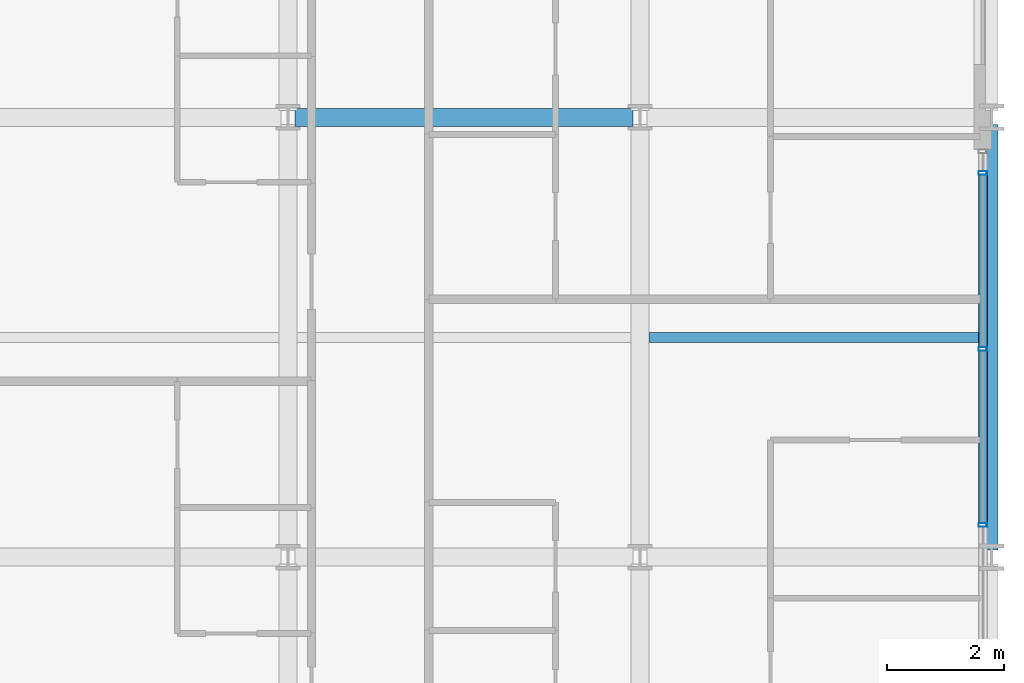
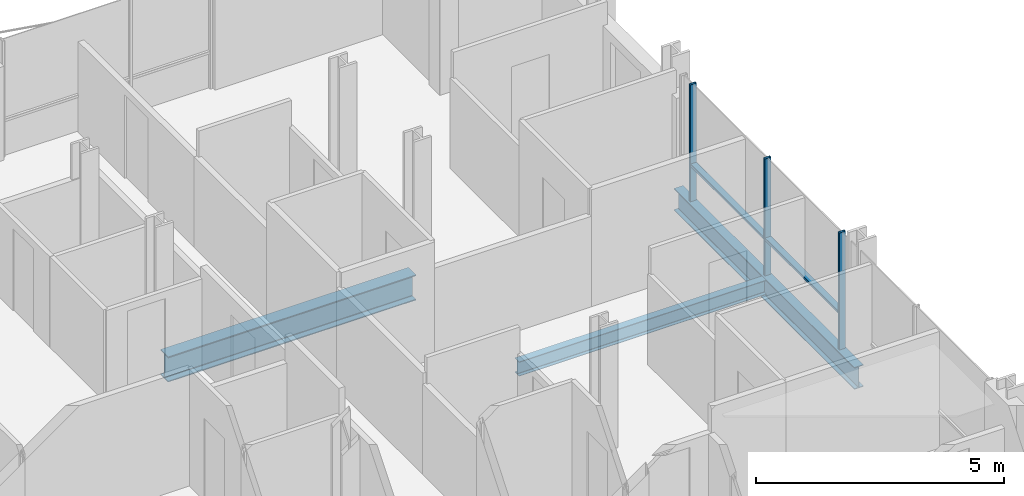
# One storey, part 19 of 41: 5 members, 3 beams, 1 element without a shape of its own.
"""IFC4 building model written with IfcOpenShell, lengths in metres."""

from ifc_helpers import new_model, si_unit, direction, frame, origin, origin_2d, place, context, subcontext, project, spatial, hollow_rectangle, i_section, extrude, material, layer, layer_set, material_profile, profile_set, type_object, element, aggregate, save


model = new_model("IFC4")

# Units and contexts
model_context = context("Model", 3, precision=1e-05, world=origin(), true_north=direction((0.0, 1.0)))
body_context = subcontext(model_context, "Body", "Model", "MODEL_VIEW")
ifc_project = project(units=[si_unit("LENGTHUNIT", "METRE"), si_unit("AREAUNIT", "SQUARE_METRE"), si_unit("VOLUMEUNIT", "CUBIC_METRE"), si_unit("PLANEANGLEUNIT", "RADIAN"), si_unit("MASSUNIT", "GRAM", prefix="KILO")], contexts=[model_context])

# Site, building, storey
site_placement = place(None, origin())
site = spatial("IfcSite", under=ifc_project, at=site_placement, CompositionType="ELEMENT")
building_placement = place(site_placement, origin())
building = spatial("IfcBuilding", under=site, at=building_placement, Name="Brevholm Reach", CompositionType="ELEMENT")
storey_placement = place(building_placement, frame((0.0, 0.0, 86.89990234375)))
storey = spatial("IfcBuildingStorey", under=building, at=storey_placement, Name="L25", CompositionType="ELEMENT", Elevation=86.89990234375)

# Beams
ifc_material_1 = material(Name="Structural Steel S355J2", Category="steel")
ifc_material_profile_1 = material_profile(ifc_material_1, i_section(OverallWidth=0.17138671875, OverallDepth=0.35498046875, WebThickness=0.00732421875, FlangeThickness=0.011474609375, FilletRadius=0.01025390625, at=origin_2d()), Name="UKB 356x171x51")
ifc_profile_set_1 = profile_set([ifc_material_profile_1], Name="Structural Steel S355J2")
beam_type_1 = type_object("IfcBeamType", Name="BM-B356", PredefinedType="BEAM", material=ifc_profile_set_1)
beam_1_placement = place(storey_placement, frame((54.153564453125, 19.75, -0.407470703125), z_axis=(1.0, 0.0, 0.0), x_axis=(0.0, 1.0, 0.0)))
element("IfcBeam", 1, at=beam_1_placement, inside=storey, type_object=beam_type_1, Name="L25 Composite Secondary Floor Beam", PredefinedType="BEAM", context=body_context, shape_type="SweptSolid", body=[
    extrude(i_section(OverallWidth=0.17138671875, OverallDepth=0.35498046875, WebThickness=0.00732421875, FlangeThickness=0.011474609375, FilletRadius=0.01025390625, at=origin_2d()), origin(), (0.0, 0.0, 1.0), 5.740966796875),
])
ifc_material_2 = material(Name="Structural Steel S355J2", Category="steel")
ifc_material_profile_2 = material_profile(ifc_material_2, i_section(OverallWidth=0.210693359375, OverallDepth=0.53955078125, WebThickness=0.01171875, FlangeThickness=0.018798828125, FilletRadius=0.0126953125, at=origin_2d()), Name="UKB 533x210x109")
ifc_profile_set_2 = profile_set([ifc_material_profile_2], Name="Structural Steel S355J2")
beam_type_2 = type_object("IfcBeamType", Name="BM-SP539", PredefinedType="SPANDREL", material=ifc_profile_set_2)
beam_2_placement = place(storey_placement, frame((60.0, 16.1201171875, -0.499755859375), z_axis=(0.0, 1.0, 0.0), x_axis=(-1.0, 0.0, 0.0)))
element("IfcBeam", 2, at=beam_2_placement, inside=storey, type_object=beam_type_2, Name="L25 SP-01B Framing Beam", PredefinedType="SPANDREL", context=body_context, shape_type="SweptSolid", body=[
    extrude(i_section(OverallWidth=0.210693359375, OverallDepth=0.53955078125, WebThickness=0.01171875, FlangeThickness=0.018798828125, FilletRadius=0.0126953125, at=origin_2d()), origin(), (0.0, 0.0, 1.0), 7.259765625),
])
ifc_material_3 = material(Name="Structural Steel S355J2", Category="steel")
ifc_material_profile_3 = material_profile(ifc_material_3, i_section(OverallWidth=0.30712890625, OverallDepth=0.6201171875, WebThickness=0.01416015625, FlangeThickness=0.023681640625, FilletRadius=0.0166015625, at=origin_2d()), Name="UKB 610x305x179")
ifc_profile_set_3 = profile_set([ifc_material_profile_3], Name="Structural Steel S355J2")
beam_type_3 = type_object("IfcBeamType", Name="BM-UKB610H", PredefinedType="USERDEFINED", material=ifc_profile_set_3)
beam_3_placement = place(storey_placement, frame((48.1201171875, 23.5, -0.5400390625), z_axis=(1.0, 0.0, 0.0), x_axis=(0.0, 1.0, 0.0)))
element("IfcBeam", 3, at=beam_3_placement, inside=storey, type_object=beam_type_3, Name="L25 G-06 Framing Beam", ObjectType="GIRDER", PredefinedType="USERDEFINED", context=body_context, shape_type="SweptSolid", body=[
    extrude(i_section(OverallWidth=0.30712890625, OverallDepth=0.6201171875, WebThickness=0.01416015625, FlangeThickness=0.023681640625, FilletRadius=0.0166015625, at=origin_2d()), origin(), (0.0, 0.0, 1.0), 5.759765625),
])

# Curtain wall, members
ifc_material_4 = material(Name="Dark Anodised Aluminium 6063-T6 and Solar-Control Glass", Category="aluminium")
ifc_layer = layer(ifc_material_4, 0.14990234375)
ifc_layer_set = layer_set([ifc_layer], Name="Dark Anodised Aluminium 6063-T6 and Solar-Control Glass")
curtain_wall_type = type_object("IfcCurtainWallType", Name="CW-01", PredefinedType="NOTDEFINED", material=ifc_layer_set)
curtain_wall_placement = place(storey_placement, origin())
curtain_wall = element("IfcCurtainWall", 4, at=curtain_wall_placement, inside=storey, type_object=curtain_wall_type, Name="L25 Curtain Wall CW-01", PredefinedType="NOTDEFINED")
ifc_material_5 = material(Name="Dark Anodised Aluminium 6063-T6", Category="aluminium")
ifc_material_profile_4 = material_profile(ifc_material_5, hollow_rectangle(XDim=0.06494140625, YDim=0.14990234375, WallThickness=0.0048828125, InnerFilletRadius=0.0048828125, OuterFilletRadius=0.010009765625, at=origin_2d()), Name="RHS 150x65x5")
ifc_profile_set_4 = profile_set([ifc_material_profile_4], Name="Dark Anodised Aluminium 6063-T6")
member_type_1 = type_object("IfcMemberType", Name="CWM-150", PredefinedType="MULLION", material=ifc_profile_set_4)
member_1_placement = place(storey_placement, frame((59.85009765625, 16.550048828125, 0.0), z_axis=(0.0, 0.0, 1.0), x_axis=(0.0, 1.0, 0.0)))
member_1 = element("IfcMember", 5, at=member_1_placement, type_object=member_type_1, Name="CM-150 Mullion 3", PredefinedType="MULLION", context=body_context, shape_type="SweptSolid", body=[
    extrude(hollow_rectangle(XDim=0.06494140625, YDim=0.14990234375, WallThickness=0.0048828125, InnerFilletRadius=0.0048828125, OuterFilletRadius=0.010009765625, at=origin_2d()), origin(), (0.0, 0.0, 1.0), 2.8701171875),
])
member_2_placement = place(storey_placement, frame((59.85009765625, 19.550048828125, 0.0), z_axis=(0.0, 0.0, 1.0), x_axis=(0.0, 1.0, 0.0)))
member_2 = element("IfcMember", 6, at=member_2_placement, type_object=member_type_1, Name="CM-150 Mullion 4", PredefinedType="MULLION", context=body_context, shape_type="SweptSolid", body=[
    extrude(hollow_rectangle(XDim=0.06494140625, YDim=0.14990234375, WallThickness=0.0048828125, InnerFilletRadius=0.0048828125, OuterFilletRadius=0.010009765625, at=origin_2d()), origin(), (0.0, 0.0, 1.0), 2.8701171875),
])
member_3_placement = place(storey_placement, frame((59.85009765625, 22.550048828125, 0.0), z_axis=(0.0, 0.0, 1.0), x_axis=(0.0, 1.0, 0.0)))
member_3 = element("IfcMember", 7, at=member_3_placement, type_object=member_type_1, Name="CM-150 Mullion 5", PredefinedType="MULLION", context=body_context, shape_type="SweptSolid", body=[
    extrude(hollow_rectangle(XDim=0.06494140625, YDim=0.14990234375, WallThickness=0.0048828125, InnerFilletRadius=0.0048828125, OuterFilletRadius=0.010009765625, at=origin_2d()), origin(), (0.0, 0.0, 1.0), 2.8701171875),
])
ifc_material_6 = material(Name="Dark Anodised Aluminium 6063-T6", Category="aluminium")
ifc_material_profile_5 = material_profile(ifc_material_6, hollow_rectangle(XDim=0.06494140625, YDim=0.14990234375, WallThickness=0.0048828125, InnerFilletRadius=0.0048828125, OuterFilletRadius=0.010009765625, at=origin_2d()), Name="RHS 150x65x5")
ifc_profile_set_5 = profile_set([ifc_material_profile_5], Name="Dark Anodised Aluminium 6063-T6")
member_type_2 = type_object("IfcMemberType", Name="CWT-150", PredefinedType="NOTDEFINED", material=ifc_profile_set_5)
member_4_placement = place(storey_placement, frame((59.85009765625, 16.58251953125, 0.900146484375), z_axis=(0.0, 1.0, 0.0), x_axis=(0.0, 0.0, 1.0)))
member_4 = element("IfcMember", 8, at=member_4_placement, type_object=member_type_2, Name="CT-150 Transom 3.1", ObjectType="TRANSOM", PredefinedType="USERDEFINED", context=body_context, shape_type="SweptSolid", body=[
    extrude(hollow_rectangle(XDim=0.06494140625, YDim=0.14990234375, WallThickness=0.0048828125, InnerFilletRadius=0.0048828125, OuterFilletRadius=0.010009765625, at=origin_2d()), origin(), (0.0, 0.0, 1.0), 2.93505859375),
])
member_5_placement = place(storey_placement, frame((59.85009765625, 19.58251953125, 0.900146484375), z_axis=(0.0, 1.0, 0.0), x_axis=(0.0, 0.0, 1.0)))
member_5 = element("IfcMember", 9, at=member_5_placement, type_object=member_type_2, Name="CT-150 Transom 4.1", ObjectType="TRANSOM", PredefinedType="USERDEFINED", context=body_context, shape_type="SweptSolid", body=[
    extrude(hollow_rectangle(XDim=0.06494140625, YDim=0.14990234375, WallThickness=0.0048828125, InnerFilletRadius=0.0048828125, OuterFilletRadius=0.010009765625, at=origin_2d()), origin(), (0.0, 0.0, 1.0), 2.93505859375),
])
aggregate(curtain_wall, [member_1, member_2, member_3, member_4, member_5])

save(model, "model.ifc")
